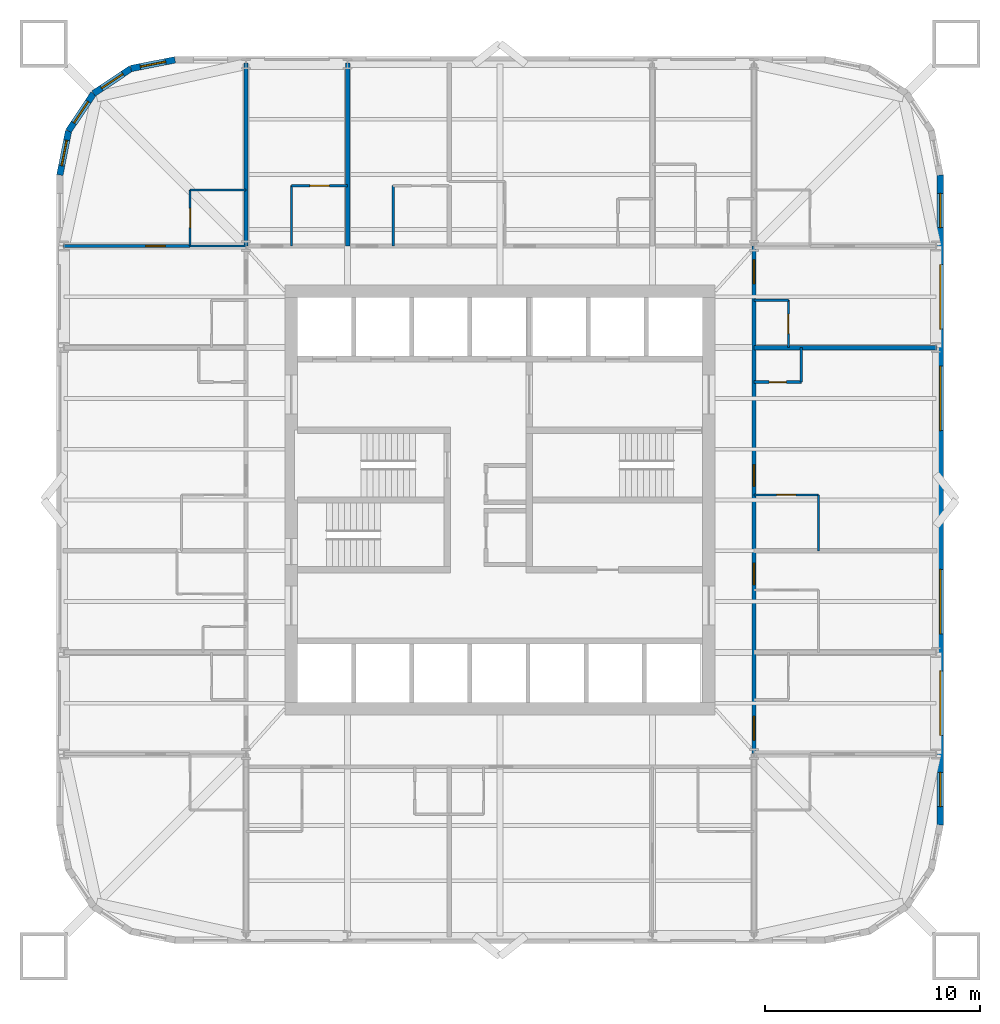
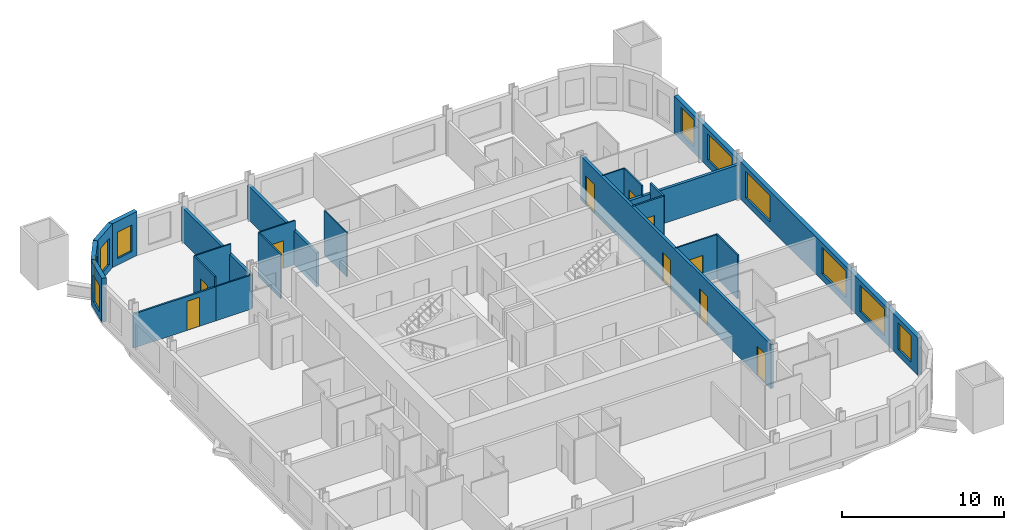
# One storey, part 6 of 9: 22 walls, 10 doors, 10 windows, 20 openings.
"""IFC4 building model written with IfcOpenShell, lengths in metres."""

from ifc_helpers import new_model, si_unit, direction, frame, frame_2d, origin, place, context, subcontext, project, spatial, rectangle, extrude, material, layer, layer_set, type_object, element, fill, save


model = new_model("IFC4")

# Units and contexts
model_context = context("Model", 3, precision=1e-05, world=origin(), true_north=direction((0.0, 1.0)))
body_context = subcontext(model_context, "Body", "Model", "MODEL_VIEW")
ifc_project = project(units=[si_unit("LENGTHUNIT", "METRE"), si_unit("AREAUNIT", "SQUARE_METRE"), si_unit("VOLUMEUNIT", "CUBIC_METRE"), si_unit("PLANEANGLEUNIT", "RADIAN"), si_unit("MASSUNIT", "GRAM", prefix="KILO")], contexts=[model_context])

# Site, building, storey
site_placement = place(None, origin())
site = spatial("IfcSite", under=ifc_project, at=site_placement, CompositionType="ELEMENT")
building_placement = place(site_placement, origin())
building = spatial("IfcBuilding", under=site, at=building_placement, Name="Turquesa Mirador Hotel Tower", CompositionType="ELEMENT")
storey_placement = place(building_placement, frame((0.0, 0.0, 124.89990234375)))
storey = spatial("IfcBuildingStorey", under=building, at=storey_placement, Name="L33", CompositionType="ELEMENT", Elevation=124.89990234375)

# Wall, opening, door
ifc_material_1 = material(Name="Gypsum board on steel studs", Category="steel")
ifc_layer_1 = layer(ifc_material_1, 0.10009765625)
ifc_layer_set_1 = layer_set([ifc_layer_1], Name="BATHROOM WALL 100")
wall_type_1 = type_object("IfcWallType", Name="BATHROOM WALL 100", PredefinedType="PARTITIONING", material=ifc_layer_set_1)
wall_1_placement = place(storey_placement, frame((66.800048828125, 45.239990234375, 0.0), z_axis=(0.0, 0.0, 1.0), x_axis=(1.0, 0.0, 0.0)))
wall_1 = element("IfcWall", 1, at=wall_1_placement, inside=storey, type_object=wall_type_1, Name="Partition L33 023", PredefinedType="PARTITIONING", context=body_context, shape_type="SweptSolid", body=[
    extrude(rectangle(XDim=3.0, YDim=0.10009765625, at=frame_2d((1.5, 0.0))), origin(), (0.0, 0.0, 1.0), 3.330078125),
])
opening_1_placement = place(wall_1_placement, frame((1.050048828125, 0.0, 0.0)))
opening_1 = element("IfcOpeningElement", 2, at=opening_1_placement, cuts=wall_1, Name="Opening D02", PredefinedType="OPENING", context=body_context, shape_type="SweptSolid", body=[
    extrude(rectangle(XDim=0.89990234375, YDim=2.10009765625, at=frame_2d((0.449951171875, 1.050048828125))), frame((0.0, 0.06005859375, 0.0), z_axis=(0.0, -1.0, 0.0), x_axis=(1.0, 0.0, 0.0)), (0.0, 0.0, 1.0), 0.1201171875),
])
ifc_material_2 = material(Name="Timber veneered door", Category="wood")
door_type_1 = type_object("IfcDoorType", Name="DOOR 900X2100 EN-SUITE", OperationType="SINGLE_SWING_RIGHT", PredefinedType="DOOR", material=ifc_material_2)
door_1_placement = place(opening_1_placement, origin())
door_1 = element("IfcDoor", 3, at=door_1_placement, inside=storey, type_object=door_type_1, Name="Door 3308B", OperationType="SINGLE_SWING_RIGHT", OverallHeight=2.10009765625, OverallWidth=0.89990234375, PredefinedType="DOOR", context=body_context, shape_type="SweptSolid", body=[
    extrude(rectangle(XDim=0.89990234375, YDim=2.10009765625, at=frame_2d((0.449951171875, 1.050048828125))), frame((0.0, 0.02490234375, 0.0), z_axis=(0.0, -1.0, 0.0), x_axis=(1.0, 0.0, 0.0)), (0.0, 0.0, 1.0), 0.050048828125),
])
fill(opening_1, door_1)

# Walls
wall_2_placement = place(storey_placement, frame((40.60009765625, 56.800048828125, 0.0), z_axis=(0.0, 0.0, 1.0), x_axis=(1.0, 0.0, 0.0)))
element("IfcWall", 4, at=wall_2_placement, inside=storey, type_object=wall_type_1, Name="Partition L33 024", PredefinedType="PARTITIONING", context=body_context, shape_type="SweptSolid", body=[
    extrude(rectangle(XDim=2.599853515625, YDim=0.10009765625, at=frame_2d((1.2998046875, 0.0))), origin(), (0.0, 0.0, 1.0), 2.5732421875),
])
wall_3_placement = place(storey_placement, frame((40.60009765625, 59.39990234375, 0.0), z_axis=(0.0, 0.0, 1.0), x_axis=(1.0, 0.0, 0.0)))
element("IfcWall", 5, at=wall_3_placement, inside=storey, type_object=wall_type_1, Name="Partition L33 031", PredefinedType="PARTITIONING", context=body_context, shape_type="SweptSolid", body=[
    extrude(rectangle(XDim=2.599853515625, YDim=0.10009765625, at=frame_2d((1.2998046875, 0.0))), origin(), (0.0, 0.0, 1.0), 3.330078125),
])

# Wall, opening, door
wall_4_placement = place(storey_placement, frame((45.320068359375, 59.60009765625, 0.0), z_axis=(0.0, 0.0, 1.0), x_axis=(1.0, 0.0, 0.0)))
wall_4 = element("IfcWall", 6, at=wall_4_placement, inside=storey, type_object=wall_type_1, Name="Partition L33 033", PredefinedType="PARTITIONING", context=body_context, shape_type="SweptSolid", body=[
    extrude(rectangle(XDim=2.599853515625, YDim=0.10009765625, at=frame_2d((1.2998046875, 0.0))), origin(), (0.0, 0.0, 1.0), 3.330078125),
])
opening_2_placement = place(wall_4_placement, frame((0.85009765625, 0.0, 0.0)))
opening_2 = element("IfcOpeningElement", 7, at=opening_2_placement, cuts=wall_4, Name="Opening D02", PredefinedType="OPENING", context=body_context, shape_type="SweptSolid", body=[
    extrude(rectangle(XDim=0.89990234375, YDim=2.10009765625, at=frame_2d((0.449951171875, 1.050048828125))), frame((0.0, 0.06005859375, 0.0), z_axis=(0.0, -1.0, 0.0), x_axis=(1.0, 0.0, 0.0)), (0.0, 0.0, 1.0), 0.1201171875),
])
door_2_placement = place(opening_2_placement, origin())
door_2 = element("IfcDoor", 8, at=door_2_placement, inside=storey, type_object=door_type_1, Name="Door 3301B", OperationType="SINGLE_SWING_RIGHT", OverallHeight=2.10009765625, OverallWidth=0.89990234375, PredefinedType="DOOR", context=body_context, shape_type="SweptSolid", body=[
    extrude(rectangle(XDim=0.89990234375, YDim=2.10009765625, at=frame_2d((0.449951171875, 1.050048828125))), frame((0.0, 0.02490234375, 0.0), z_axis=(0.0, -1.0, 0.0), x_axis=(1.0, 0.0, 0.0)), (0.0, 0.0, 1.0), 0.050048828125),
])
fill(opening_2, door_2)

# Wall
wall_5_placement = place(storey_placement, frame((66.800048828125, 54.280029296875, 0.0), z_axis=(0.0, 0.0, 1.0), x_axis=(1.0, 0.0, 0.0)))
element("IfcWall", 9, at=wall_5_placement, inside=storey, type_object=wall_type_1, Name="Partition L33 042", PredefinedType="PARTITIONING", context=body_context, shape_type="SweptSolid", body=[
    extrude(rectangle(XDim=1.599853515625, YDim=0.10009765625, at=frame_2d((0.7998046875, 0.0))), origin(), (0.0, 0.0, 1.0), 3.330078125),
])

# Wall, opening, door
wall_6_placement = place(storey_placement, frame((40.60009765625, 56.800048828125, 0.0), z_axis=(0.0, 0.0, 1.0), x_axis=(0.0, 1.0, 0.0)))
wall_6 = element("IfcWall", 10, at=wall_6_placement, inside=storey, type_object=wall_type_1, Name="Partition L33 052", PredefinedType="PARTITIONING", context=body_context, shape_type="SweptSolid", body=[
    extrude(rectangle(XDim=2.599853515625, YDim=0.10009765625, at=frame_2d((1.2998046875, 0.0))), origin(), (0.0, 0.0, 1.0), 3.330078125),
])
opening_3_placement = place(wall_6_placement, frame((0.85009765625, 0.0, 0.0)))
opening_3 = element("IfcOpeningElement", 11, at=opening_3_placement, cuts=wall_6, Name="Opening D02", PredefinedType="OPENING", context=body_context, shape_type="SweptSolid", body=[
    extrude(rectangle(XDim=0.89990234375, YDim=2.10009765625, at=frame_2d((0.449951171875, 1.050048828125))), frame((0.0, 0.06005859375, 0.0), z_axis=(0.0, -1.0, 0.0), x_axis=(1.0, 0.0, 0.0)), (0.0, 0.0, 1.0), 0.1201171875),
])
door_3_placement = place(opening_3_placement, origin())
door_3 = element("IfcDoor", 12, at=door_3_placement, inside=storey, type_object=door_type_1, Name="Door 3312B", OperationType="SINGLE_SWING_RIGHT", OverallHeight=2.10009765625, OverallWidth=0.89990234375, PredefinedType="DOOR", context=body_context, shape_type="SweptSolid", body=[
    extrude(rectangle(XDim=0.89990234375, YDim=2.10009765625, at=frame_2d((0.449951171875, 1.050048828125))), frame((0.0, 0.02490234375, 0.0), z_axis=(0.0, -1.0, 0.0), x_axis=(1.0, 0.0, 0.0)), (0.0, 0.0, 1.0), 0.050048828125),
])
fill(opening_3, door_3)

# Walls
for number, where, z_axis, x_axis, name in (
    (13, (50.0400390625, 56.800048828125, 0.0), (0.0, 0.0, 1.0), (0.0, 1.0, 0.0), "Partition L33 059"),
    (14, (45.320068359375, 56.800048828125, 0.0), (0.0, 0.0, 1.0), (0.0, 1.0, 0.0), "Partition L33 062"),
):
    element("IfcWall", number, at=place(storey_placement, frame(where, z_axis=z_axis, x_axis=x_axis)), inside=storey, type_object=wall_type_1, Name=name, PredefinedType="PARTITIONING", context=body_context, shape_type="SweptSolid", body=[
        extrude(rectangle(XDim=2.800048828125, YDim=0.10009765625, at=frame_2d((1.39990234375, 0.0))), origin(), (0.0, 0.0, 1.0), 3.330078125),
    ])

# Wall, opening, door
wall_7_placement = place(storey_placement, frame((68.39990234375, 52.080078125, 0.0), z_axis=(0.0, 0.0, 1.0), x_axis=(0.0, 1.0, 0.0)))
wall_7 = element("IfcWall", 15, at=wall_7_placement, inside=storey, type_object=wall_type_1, Name="Partition L33 069", PredefinedType="PARTITIONING", context=body_context, shape_type="SweptSolid", body=[
    extrude(rectangle(XDim=2.199951171875, YDim=0.10009765625, at=frame_2d((1.10009765625, 0.0))), origin(), (0.0, 0.0, 1.0), 3.330078125),
])
opening_4_placement = place(wall_7_placement, frame((0.64990234375, 0.0, 0.0)))
opening_4 = element("IfcOpeningElement", 16, at=opening_4_placement, cuts=wall_7, Name="Opening D06", PredefinedType="OPENING", context=body_context, shape_type="SweptSolid", body=[
    extrude(rectangle(XDim=0.89990234375, YDim=2.10009765625, at=frame_2d((0.449951171875, 1.050048828125))), frame((0.0, 0.06005859375, 0.0), z_axis=(0.0, -1.0, 0.0), x_axis=(1.0, 0.0, 0.0)), (0.0, 0.0, 1.0), 0.1201171875),
])
ifc_material_3 = material(Name="Laminate door", Category="wood")
door_type_2 = type_object("IfcDoorType", Name="DOOR 900X2100 WC", OperationType="SINGLE_SWING_LEFT", PredefinedType="DOOR", material=ifc_material_3)
door_4_placement = place(opening_4_placement, origin())
door_4 = element("IfcDoor", 17, at=door_4_placement, inside=storey, type_object=door_type_2, Name="Door 3311W", OperationType="SINGLE_SWING_LEFT", OverallHeight=2.10009765625, OverallWidth=0.89990234375, PredefinedType="DOOR", context=body_context, shape_type="SweptSolid", body=[
    extrude(rectangle(XDim=0.89990234375, YDim=2.10009765625, at=frame_2d((0.449951171875, 1.050048828125))), frame((0.0, 0.02490234375, 0.0), z_axis=(0.0, -1.0, 0.0), x_axis=(1.0, 0.0, 0.0)), (0.0, 0.0, 1.0), 0.050048828125),
])
fill(opening_4, door_4)

# Wall
wall_8_placement = place(storey_placement, frame((69.800048828125, 42.639892578125, 0.0), z_axis=(0.0, 0.0, 1.0), x_axis=(0.0, 1.0, 0.0)))
element("IfcWall", 18, at=wall_8_placement, inside=storey, type_object=wall_type_1, Name="Partition L33 074", PredefinedType="PARTITIONING", context=body_context, shape_type="SweptSolid", body=[
    extrude(rectangle(XDim=2.60009765625, YDim=0.10009765625, at=frame_2d((1.300048828125, 0.0))), origin(), (0.0, 0.0, 1.0), 3.330078125),
])

# Wall, openings, doors
ifc_material_4 = material(Name="Fire-rated gypsum board on steel studs", Category="steel")
ifc_layer_2 = layer(ifc_material_4, 0.199951171875)
ifc_layer_set_2 = layer_set([ifc_layer_2], Name="CORRIDOR WALL 200")
wall_type_2 = type_object("IfcWallType", Name="CORRIDOR WALL 200", PredefinedType="PARTITIONING", material=ifc_layer_set_2)
wall_9_placement = place(storey_placement, frame((66.800048828125, 33.219970703125, 0.0), z_axis=(0.0, 0.0, 1.0), x_axis=(0.0, 1.0, 0.0)))
wall_9 = element("IfcWall", 19, at=wall_9_placement, inside=storey, type_object=wall_type_2, Name="Partition L33 065", PredefinedType="PARTITIONING", context=body_context, shape_type="SweptSolid", body=[
    extrude(rectangle(XDim=23.580078125, YDim=0.199951171875, at=frame_2d((11.7900390625, 0.0))), origin(), (0.0, 0.0, 1.0), 3.330078125),
])
opening_5_placement = place(wall_9_placement, frame((7.85009765625, 0.0, 0.0)))
opening_5 = element("IfcOpeningElement", 20, at=opening_5_placement, cuts=wall_9, Name="Opening D01", PredefinedType="OPENING", context=body_context, shape_type="SweptSolid", body=[
    extrude(rectangle(XDim=1.0, YDim=2.199951171875, at=frame_2d((0.5, 1.10009765625))), frame((0.0, 0.10986328125, 0.0), z_axis=(0.0, -1.0, 0.0), x_axis=(1.0, 0.0, 0.0)), (0.0, 0.0, 1.0), 0.219970703125),
])
opening_6_placement = place(wall_9_placement, frame((12.419921875, 0.0, 0.0)))
opening_6 = element("IfcOpeningElement", 21, at=opening_6_placement, cuts=wall_9, Name="Opening D01", PredefinedType="OPENING", context=body_context, shape_type="SweptSolid", body=[
    extrude(rectangle(XDim=1.0, YDim=2.199951171875, at=frame_2d((0.5, 1.10009765625))), frame((0.0, 0.10986328125, 0.0), z_axis=(0.0, -1.0, 0.0), x_axis=(1.0, 0.0, 0.0)), (0.0, 0.0, 1.0), 0.219970703125),
])
opening_7_placement = place(wall_9_placement, frame((21.830078125, 0.0, 0.0)))
opening_7 = element("IfcOpeningElement", 22, at=opening_7_placement, cuts=wall_9, Name="Opening D15", PredefinedType="OPENING", context=body_context, shape_type="SweptSolid", body=[
    extrude(rectangle(XDim=1.10009765625, YDim=2.199951171875, at=frame_2d((0.550048828125, 1.10009765625))), frame((0.0, 0.10986328125, 0.0), z_axis=(0.0, -1.0, 0.0), x_axis=(1.0, 0.0, 0.0)), (0.0, 0.0, 1.0), 0.219970703125),
])
opening_8_placement = place(wall_9_placement, frame((0.6298828125, 0.0, 0.0)))
opening_8 = element("IfcOpeningElement", 23, at=opening_8_placement, cuts=wall_9, Name="Opening D15", PredefinedType="OPENING", context=body_context, shape_type="SweptSolid", body=[
    extrude(rectangle(XDim=1.10009765625, YDim=2.199951171875, at=frame_2d((0.550048828125, 1.10009765625))), frame((0.0, 0.10986328125, 0.0), z_axis=(0.0, -1.0, 0.0), x_axis=(1.0, 0.0, 0.0)), (0.0, 0.0, 1.0), 0.219970703125),
])
ifc_material_5 = material(Name="Timber veneered fire door", Category="wood")
door_type_3 = type_object("IfcDoorType", Name="DOOR 1000X2200 GUEST ENTRY", OperationType="SINGLE_SWING_LEFT", PredefinedType="DOOR", material=ifc_material_5)
door_5_placement = place(opening_5_placement, origin())
door_5 = element("IfcDoor", 24, at=door_5_placement, inside=storey, type_object=door_type_3, Name="Door 3307", OperationType="SINGLE_SWING_LEFT", OverallHeight=2.199951171875, OverallWidth=1.0, PredefinedType="DOOR", context=body_context, shape_type="SweptSolid", body=[
    extrude(rectangle(XDim=1.0, YDim=2.199951171875, at=frame_2d((0.5, 1.10009765625))), frame((0.0, 0.02490234375, 0.0), z_axis=(0.0, -1.0, 0.0), x_axis=(1.0, 0.0, 0.0)), (0.0, 0.0, 1.0), 0.050048828125),
])
fill(opening_5, door_5)
door_6_placement = place(opening_6_placement, origin())
door_6 = element("IfcDoor", 25, at=door_6_placement, inside=storey, type_object=door_type_3, Name="Door 3308", OperationType="SINGLE_SWING_LEFT", OverallHeight=2.199951171875, OverallWidth=1.0, PredefinedType="DOOR", context=body_context, shape_type="SweptSolid", body=[
    extrude(rectangle(XDim=1.0, YDim=2.199951171875, at=frame_2d((0.5, 1.10009765625))), frame((0.0, 0.02490234375, 0.0), z_axis=(0.0, -1.0, 0.0), x_axis=(1.0, 0.0, 0.0)), (0.0, 0.0, 1.0), 0.050048828125),
])
fill(opening_6, door_6)
ifc_material_6 = material(Name="Timber veneered fire door", Category="wood")
door_type_4 = type_object("IfcDoorType", Name="DOOR 1100X2200 SUITE ENTRY", OperationType="SINGLE_SWING_LEFT", PredefinedType="DOOR", material=ifc_material_6)
door_7_placement = place(opening_7_placement, origin())
door_7 = element("IfcDoor", 26, at=door_7_placement, inside=storey, type_object=door_type_4, Name="Door 3311", OperationType="SINGLE_SWING_LEFT", OverallHeight=2.199951171875, OverallWidth=1.10009765625, PredefinedType="DOOR", context=body_context, shape_type="SweptSolid", body=[
    extrude(rectangle(XDim=1.10009765625, YDim=2.199951171875, at=frame_2d((0.550048828125, 1.10009765625))), frame((0.0, 0.02490234375, 0.0), z_axis=(0.0, -1.0, 0.0), x_axis=(1.0, 0.0, 0.0)), (0.0, 0.0, 1.0), 0.050048828125),
])
fill(opening_7, door_7)
door_8_placement = place(opening_8_placement, origin())
door_8 = element("IfcDoor", 27, at=door_8_placement, inside=storey, type_object=door_type_4, Name="Door 3314", OperationType="SINGLE_SWING_LEFT", OverallHeight=2.199951171875, OverallWidth=1.10009765625, PredefinedType="DOOR", context=body_context, shape_type="SweptSolid", body=[
    extrude(rectangle(XDim=1.10009765625, YDim=2.199951171875, at=frame_2d((0.550048828125, 1.10009765625))), frame((0.0, 0.02490234375, 0.0), z_axis=(0.0, -1.0, 0.0), x_axis=(1.0, 0.0, 0.0)), (0.0, 0.0, 1.0), 0.050048828125),
])
fill(opening_8, door_8)

# Wall, openings, windows
ifc_material_7 = material(Name="Limestone cladding on concrete block", Category="masonry")
ifc_layer_3 = layer(ifc_material_7, 0.300048828125)
ifc_layer_set_3 = layer_set([ifc_layer_3], Name="FACADE WALL 300 STONE SCREEN")
wall_type_3 = type_object("IfcWallType", Name="FACADE WALL 300 STONE SCREEN", PredefinedType="SOLIDWALL", material=ifc_layer_set_3)
wall_10_placement = place(storey_placement, frame((75.449951171875, 29.89990234375, 0.0), z_axis=(0.0, 0.0, 1.0), x_axis=(0.0, 1.0, 0.0)))
wall_10 = element("IfcWall", 28, at=wall_10_placement, inside=storey, type_object=wall_type_3, Name="Facade wall L33 04", PredefinedType="SOLIDWALL", context=body_context, shape_type="SweptSolid", body=[
    extrude(rectangle(XDim=30.2001953125, YDim=0.300048828125, at=frame_2d((15.10009765625, 0.0))), origin(), (0.0, 0.0, 1.0), 2.830078125),
])
opening_9_placement = place(wall_10_placement, frame((0.85009765625, 0.0, 0.5)))
opening_9 = element("IfcOpeningElement", 29, at=opening_9_placement, cuts=wall_10, Name="Opening WN3", PredefinedType="OPENING", context=body_context, shape_type="SweptSolid", body=[
    extrude(rectangle(XDim=1.60009765625, YDim=2.0, at=frame_2d((0.800048828125, 1.0))), frame((0.0, 0.159912109375, 0.0), z_axis=(0.0, -1.0, 0.0), x_axis=(1.0, 0.0, 0.0)), (0.0, 0.0, 1.0), 0.320068359375),
])
opening_10_placement = place(wall_10_placement, frame((4.159912109375, 0.0, 0.5)))
opening_10 = element("IfcOpeningElement", 30, at=opening_10_placement, cuts=wall_10, Name="Opening WN1", PredefinedType="OPENING", context=body_context, shape_type="SweptSolid", body=[
    extrude(rectangle(XDim=3.0, YDim=2.0, at=frame_2d((1.5, 1.0))), frame((0.0, 0.159912109375, 0.0), z_axis=(0.0, -1.0, 0.0), x_axis=(1.0, 0.0, 0.0)), (0.0, 0.0, 1.0), 0.320068359375),
])
opening_11_placement = place(wall_10_placement, frame((8.8798828125, 0.0, 0.5)))
opening_11 = element("IfcOpeningElement", 31, at=opening_11_placement, cuts=wall_10, Name="Opening WN1", PredefinedType="OPENING", context=body_context, shape_type="SweptSolid", body=[
    extrude(rectangle(XDim=3.0, YDim=2.0, at=frame_2d((1.5, 1.0))), frame((0.0, 0.159912109375, 0.0), z_axis=(0.0, -1.0, 0.0), x_axis=(1.0, 0.0, 0.0)), (0.0, 0.0, 1.0), 0.320068359375),
])
opening_12_placement = place(wall_10_placement, frame((18.320068359375, 0.0, 0.5)))
opening_12 = element("IfcOpeningElement", 32, at=opening_12_placement, cuts=wall_10, Name="Opening WN1", PredefinedType="OPENING", context=body_context, shape_type="SweptSolid", body=[
    extrude(rectangle(XDim=3.0, YDim=2.0, at=frame_2d((1.5, 1.0))), frame((0.0, 0.159912109375, 0.0), z_axis=(0.0, -1.0, 0.0), x_axis=(1.0, 0.0, 0.0)), (0.0, 0.0, 1.0), 0.320068359375),
])
opening_13_placement = place(wall_10_placement, frame((23.0400390625, 0.0, 0.5)))
opening_13 = element("IfcOpeningElement", 33, at=opening_13_placement, cuts=wall_10, Name="Opening WN1", PredefinedType="OPENING", context=body_context, shape_type="SweptSolid", body=[
    extrude(rectangle(XDim=3.0, YDim=2.0, at=frame_2d((1.5, 1.0))), frame((0.0, 0.159912109375, 0.0), z_axis=(0.0, -1.0, 0.0), x_axis=(1.0, 0.0, 0.0)), (0.0, 0.0, 1.0), 0.320068359375),
])
opening_14_placement = place(wall_10_placement, frame((27.75, 0.0, 0.5)))
opening_14 = element("IfcOpeningElement", 34, at=opening_14_placement, cuts=wall_10, Name="Opening WN3", PredefinedType="OPENING", context=body_context, shape_type="SweptSolid", body=[
    extrude(rectangle(XDim=1.60009765625, YDim=2.0, at=frame_2d((0.800048828125, 1.0))), frame((0.0, 0.159912109375, 0.0), z_axis=(0.0, -1.0, 0.0), x_axis=(1.0, 0.0, 0.0)), (0.0, 0.0, 1.0), 0.320068359375),
])
ifc_material_8 = material(Name="Ceramic-fritted laminated glass", Category="glass")
window_type_1 = type_object("IfcWindowType", Name="FRITTED WINDOW 1600X2000", PartitioningType="DOUBLE_PANEL_HORIZONTAL", PredefinedType="WINDOW", material=ifc_material_8)
window_1_placement = place(opening_9_placement, origin())
window_1 = element("IfcWindow", 35, at=window_1_placement, inside=storey, type_object=window_type_1, Name="Window L33", OverallHeight=2.0, OverallWidth=1.60009765625, PartitioningType="SINGLE_PANEL", PredefinedType="WINDOW", context=body_context, shape_type="SweptSolid", body=[
    extrude(rectangle(XDim=1.60009765625, YDim=2.0, at=frame_2d((0.800048828125, 1.0))), frame((0.0, 0.030029296875, 0.0), z_axis=(0.0, -1.0, 0.0), x_axis=(1.0, 0.0, 0.0)), (0.0, 0.0, 1.0), 0.06005859375),
])
fill(opening_9, window_1)
window_2_placement = place(opening_14_placement, origin())
window_2 = element("IfcWindow", 36, at=window_2_placement, inside=storey, type_object=window_type_1, Name="Window L33", OverallHeight=2.0, OverallWidth=1.60009765625, PartitioningType="SINGLE_PANEL", PredefinedType="WINDOW", context=body_context, shape_type="SweptSolid", body=[
    extrude(rectangle(XDim=1.60009765625, YDim=2.0, at=frame_2d((0.800048828125, 1.0))), frame((0.0, 0.030029296875, 0.0), z_axis=(0.0, -1.0, 0.0), x_axis=(1.0, 0.0, 0.0)), (0.0, 0.0, 1.0), 0.06005859375),
])
fill(opening_14, window_2)
ifc_material_9 = material(Name="Ceramic-fritted laminated glass", Category="glass")
window_type_2 = type_object("IfcWindowType", Name="FRITTED WINDOW 3000X2000", PartitioningType="DOUBLE_PANEL_HORIZONTAL", PredefinedType="WINDOW", material=ifc_material_9)
window_3_placement = place(opening_10_placement, origin())
window_3 = element("IfcWindow", 37, at=window_3_placement, inside=storey, type_object=window_type_2, Name="Window L33", OverallHeight=2.0, OverallWidth=3.0, PartitioningType="SINGLE_PANEL", PredefinedType="WINDOW", context=body_context, shape_type="SweptSolid", body=[
    extrude(rectangle(XDim=3.0, YDim=2.0, at=frame_2d((1.5, 1.0))), frame((0.0, 0.030029296875, 0.0), z_axis=(0.0, -1.0, 0.0), x_axis=(1.0, 0.0, 0.0)), (0.0, 0.0, 1.0), 0.06005859375),
])
fill(opening_10, window_3)
window_4_placement = place(opening_11_placement, origin())
window_4 = element("IfcWindow", 38, at=window_4_placement, inside=storey, type_object=window_type_2, Name="Window L33", OverallHeight=2.0, OverallWidth=3.0, PartitioningType="SINGLE_PANEL", PredefinedType="WINDOW", context=body_context, shape_type="SweptSolid", body=[
    extrude(rectangle(XDim=3.0, YDim=2.0, at=frame_2d((1.5, 1.0))), frame((0.0, 0.030029296875, 0.0), z_axis=(0.0, -1.0, 0.0), x_axis=(1.0, 0.0, 0.0)), (0.0, 0.0, 1.0), 0.06005859375),
])
fill(opening_11, window_4)
window_5_placement = place(opening_12_placement, origin())
window_5 = element("IfcWindow", 39, at=window_5_placement, inside=storey, type_object=window_type_2, Name="Window L33", OverallHeight=2.0, OverallWidth=3.0, PartitioningType="SINGLE_PANEL", PredefinedType="WINDOW", context=body_context, shape_type="SweptSolid", body=[
    extrude(rectangle(XDim=3.0, YDim=2.0, at=frame_2d((1.5, 1.0))), frame((0.0, 0.030029296875, 0.0), z_axis=(0.0, -1.0, 0.0), x_axis=(1.0, 0.0, 0.0)), (0.0, 0.0, 1.0), 0.06005859375),
])
fill(opening_12, window_5)
window_6_placement = place(opening_13_placement, origin())
window_6 = element("IfcWindow", 40, at=window_6_placement, inside=storey, type_object=window_type_2, Name="Window L33", OverallHeight=2.0, OverallWidth=3.0, PartitioningType="SINGLE_PANEL", PredefinedType="WINDOW", context=body_context, shape_type="SweptSolid", body=[
    extrude(rectangle(XDim=3.0, YDim=2.0, at=frame_2d((1.5, 1.0))), frame((0.0, 0.030029296875, 0.0), z_axis=(0.0, -1.0, 0.0), x_axis=(1.0, 0.0, 0.0)), (0.0, 0.0, 1.0), 0.06005859375),
])
fill(opening_13, window_6)

# Wall, opening, window
wall_11_placement = place(storey_placement, frame((39.89990234375, 65.449951171875, 0.0), z_axis=(0.0, 0.0, 1.0), x_axis=(-0.980787050784, -0.195081421501, 0.0)))
wall_11 = element("IfcWall", 41, at=wall_11_placement, inside=storey, type_object=wall_type_3, Name="Facade wall L33 10", PredefinedType="SOLIDWALL", context=body_context, shape_type="SweptSolid", body=[
    extrude(rectangle(XDim=2.08740234375, YDim=0.300048828125, at=frame_2d((1.043701171875, 0.0))), origin(), (0.0, 0.0, 1.0), 3.330078125),
])
opening_15_placement = place(wall_11_placement, frame((0.443603515625, 0.0, 0.5)))
opening_15 = element("IfcOpeningElement", 42, at=opening_15_placement, cuts=wall_11, Name="Opening WN4", PredefinedType="OPENING", context=body_context, shape_type="SweptSolid", body=[
    extrude(rectangle(XDim=1.199951171875, YDim=2.0, at=frame_2d((0.60009765625, 1.0))), frame((0.0, 0.159912109375, 0.0), z_axis=(0.0, -1.0, 0.0), x_axis=(1.0, 0.0, 0.0)), (0.0, 0.0, 1.0), 0.320068359375),
])
ifc_material_10 = material(Name="Ceramic-fritted laminated glass", Category="glass")
window_type_3 = type_object("IfcWindowType", Name="FRITTED CORNER WINDOW 1200X2000", PartitioningType="DOUBLE_PANEL_HORIZONTAL", PredefinedType="WINDOW", material=ifc_material_10)
window_7_placement = place(opening_15_placement, origin())
window_7 = element("IfcWindow", 43, at=window_7_placement, inside=storey, type_object=window_type_3, Name="Window L33", OverallHeight=2.0, OverallWidth=1.199951171875, PartitioningType="SINGLE_PANEL", PredefinedType="WINDOW", context=body_context, shape_type="SweptSolid", body=[
    extrude(rectangle(XDim=1.199951171875, YDim=2.0, at=frame_2d((0.60009765625, 1.0))), frame((0.0, 0.030029296875, 0.0), z_axis=(0.0, -1.0, 0.0), x_axis=(1.0, 0.0, 0.0)), (0.0, 0.0, 1.0), 0.06005859375),
])
fill(opening_15, window_7)

wall_12_placement = place(storey_placement, frame((37.8525390625, 65.042724609375, 0.0), z_axis=(0.0, 0.0, 1.0), x_axis=(-0.831474039234, -0.555563607591, 0.0)))
wall_12 = element("IfcWall", 44, at=wall_12_placement, inside=storey, type_object=wall_type_3, Name="Facade wall L33 11", PredefinedType="SOLIDWALL", context=body_context, shape_type="SweptSolid", body=[
    extrude(rectangle(XDim=2.08740234375, YDim=0.300048828125, at=frame_2d((1.043701171875, 0.0))), origin(), (0.0, 0.0, 1.0), 3.330078125),
])
opening_16_placement = place(wall_12_placement, frame((0.443603515625, 0.0, 0.5)))
opening_16 = element("IfcOpeningElement", 45, at=opening_16_placement, cuts=wall_12, Name="Opening WN4", PredefinedType="OPENING", context=body_context, shape_type="SweptSolid", body=[
    extrude(rectangle(XDim=1.199951171875, YDim=2.0, at=frame_2d((0.60009765625, 1.0))), frame((0.0, 0.159912109375, 0.0), z_axis=(0.0, -1.0, 0.0), x_axis=(1.0, 0.0, 0.0)), (0.0, 0.0, 1.0), 0.320068359375),
])
window_8_placement = place(opening_16_placement, origin())
window_8 = element("IfcWindow", 46, at=window_8_placement, inside=storey, type_object=window_type_3, Name="Window L33", OverallHeight=2.0, OverallWidth=1.199951171875, PartitioningType="SINGLE_PANEL", PredefinedType="WINDOW", context=body_context, shape_type="SweptSolid", body=[
    extrude(rectangle(XDim=1.199951171875, YDim=2.0, at=frame_2d((0.60009765625, 1.0))), frame((0.0, 0.030029296875, 0.0), z_axis=(0.0, -1.0, 0.0), x_axis=(1.0, 0.0, 0.0)), (0.0, 0.0, 1.0), 0.06005859375),
])
fill(opening_16, window_8)

wall_13_placement = place(storey_placement, frame((36.116943359375, 63.883056640625, 0.0), z_axis=(0.0, 0.0, 1.0), x_axis=(-0.555563607591, -0.831474039234, 0.0)))
wall_13 = element("IfcWall", 47, at=wall_13_placement, inside=storey, type_object=wall_type_3, Name="Facade wall L33 12", PredefinedType="SOLIDWALL", context=body_context, shape_type="SweptSolid", body=[
    extrude(rectangle(XDim=2.08740234375, YDim=0.300048828125, at=frame_2d((1.043701171875, 0.0))), origin(), (0.0, 0.0, 1.0), 3.330078125),
])
opening_17_placement = place(wall_13_placement, frame((0.443603515625, 0.0, 0.5)))
opening_17 = element("IfcOpeningElement", 48, at=opening_17_placement, cuts=wall_13, Name="Opening WN4", PredefinedType="OPENING", context=body_context, shape_type="SweptSolid", body=[
    extrude(rectangle(XDim=1.199951171875, YDim=2.0, at=frame_2d((0.60009765625, 1.0))), frame((0.0, 0.159912109375, 0.0), z_axis=(0.0, -1.0, 0.0), x_axis=(1.0, 0.0, 0.0)), (0.0, 0.0, 1.0), 0.320068359375),
])
window_9_placement = place(opening_17_placement, origin())
window_9 = element("IfcWindow", 49, at=window_9_placement, inside=storey, type_object=window_type_3, Name="Window L33", OverallHeight=2.0, OverallWidth=1.199951171875, PartitioningType="SINGLE_PANEL", PredefinedType="WINDOW", context=body_context, shape_type="SweptSolid", body=[
    extrude(rectangle(XDim=1.199951171875, YDim=2.0, at=frame_2d((0.60009765625, 1.0))), frame((0.0, 0.030029296875, 0.0), z_axis=(0.0, -1.0, 0.0), x_axis=(1.0, 0.0, 0.0)), (0.0, 0.0, 1.0), 0.06005859375),
])
fill(opening_17, window_9)

wall_14_placement = place(storey_placement, frame((34.957275390625, 62.1474609375, 0.0), z_axis=(0.0, 0.0, 1.0), x_axis=(-0.195081421501, -0.980787050784, 0.0)))
wall_14 = element("IfcWall", 50, at=wall_14_placement, inside=storey, type_object=wall_type_3, Name="Facade wall L33 13", PredefinedType="SOLIDWALL", context=body_context, shape_type="SweptSolid", body=[
    extrude(rectangle(XDim=2.08740234375, YDim=0.300048828125, at=frame_2d((1.043701171875, 0.0))), origin(), (0.0, 0.0, 1.0), 3.330078125),
])
opening_18_placement = place(wall_14_placement, frame((0.443603515625, 0.0, 0.5)))
opening_18 = element("IfcOpeningElement", 51, at=opening_18_placement, cuts=wall_14, Name="Opening WN4", PredefinedType="OPENING", context=body_context, shape_type="SweptSolid", body=[
    extrude(rectangle(XDim=1.199951171875, YDim=2.0, at=frame_2d((0.60009765625, 1.0))), frame((0.0, 0.159912109375, 0.0), z_axis=(0.0, -1.0, 0.0), x_axis=(1.0, 0.0, 0.0)), (0.0, 0.0, 1.0), 0.320068359375),
])
window_10_placement = place(opening_18_placement, origin())
window_10 = element("IfcWindow", 52, at=window_10_placement, inside=storey, type_object=window_type_3, Name="Window L33", OverallHeight=2.0, OverallWidth=1.199951171875, PartitioningType="SINGLE_PANEL", PredefinedType="WINDOW", context=body_context, shape_type="SweptSolid", body=[
    extrude(rectangle(XDim=1.199951171875, YDim=2.0, at=frame_2d((0.60009765625, 1.0))), frame((0.0, 0.030029296875, 0.0), z_axis=(0.0, -1.0, 0.0), x_axis=(1.0, 0.0, 0.0)), (0.0, 0.0, 1.0), 0.06005859375),
])
fill(opening_18, window_10)

# Walls
ifc_material_11 = material(Name="Fire-rated gypsum board on steel studs", Category="steel")
ifc_layer_4 = layer(ifc_material_11, 0.199951171875)
ifc_layer_set_4 = layer_set([ifc_layer_4], Name="PARTY WALL 200")
wall_type_4 = type_object("IfcWallType", Name="PARTY WALL 200", PredefinedType="PARTITIONING", material=ifc_layer_set_4)
for number, where, z_axis, x_axis, name in (
    (53, (66.800048828125, 52.080078125, 0.0), (0.0, 0.0, 1.0), (1.0, 0.0, 0.0), "Partition L33 040"),
    (54, (43.199951171875, 56.800048828125, 0.0), (0.0, 0.0, 1.0), (0.0, 1.0, 0.0), "Partition L33 046"),
    (55, (47.919921875, 56.800048828125, 0.0), (0.0, 0.0, 1.0), (0.0, 1.0, 0.0), "Partition L33 060"),
):
    element("IfcWall", number, at=place(storey_placement, frame(where, z_axis=z_axis, x_axis=x_axis)), inside=storey, type_object=wall_type_4, Name=name, PredefinedType="PARTITIONING", context=body_context, shape_type="SweptSolid", body=[
        extrude(rectangle(XDim=8.5, YDim=0.199951171875, at=frame_2d((4.25, 0.0))), origin(), (0.0, 0.0, 1.0), 2.5732421875),
    ])

# Wall, opening, door
ifc_material_12 = material(Name="Acoustic gypsum board on steel studs", Category="steel")
ifc_layer_5 = layer(ifc_material_12, 0.125)
ifc_layer_set_5 = layer_set([ifc_layer_5], Name="SUITE PARTITION 125")
wall_type_5 = type_object("IfcWallType", Name="SUITE PARTITION 125", PredefinedType="PARTITIONING", material=ifc_layer_set_5)
wall_15_placement = place(storey_placement, frame((34.699951171875, 56.800048828125, 0.0), z_axis=(0.0, 0.0, 1.0), x_axis=(1.0, 0.0, 0.0)))
wall_15 = element("IfcWall", 56, at=wall_15_placement, inside=storey, type_object=wall_type_5, Name="Partition L33 027", PredefinedType="PARTITIONING", context=body_context, shape_type="SweptSolid", body=[
    extrude(rectangle(XDim=5.900146484375, YDim=0.125, at=frame_2d((2.9501953125, 0.0))), origin(), (0.0, 0.0, 1.0), 2.5732421875),
])
opening_19_placement = place(wall_15_placement, frame((3.85009765625, 0.0, 0.0)))
opening_19 = element("IfcOpeningElement", 57, at=opening_19_placement, cuts=wall_15, Name="Opening D17", PredefinedType="OPENING", context=body_context, shape_type="SweptSolid", body=[
    extrude(rectangle(XDim=0.89990234375, YDim=2.199951171875, at=frame_2d((0.449951171875, 1.10009765625))), frame((0.0, 0.072509765625, 0.0), z_axis=(0.0, -1.0, 0.0), x_axis=(1.0, 0.0, 0.0)), (0.0, 0.0, 1.0), 0.14501953125),
])
ifc_material_13 = material(Name="Timber veneered door", Category="wood")
door_type_5 = type_object("IfcDoorType", Name="DOOR 900X2200 SUITE INTERNAL", OperationType="SINGLE_SWING_LEFT", PredefinedType="DOOR", material=ifc_material_13)
door_9_placement = place(opening_19_placement, origin())
door_9 = element("IfcDoor", 58, at=door_9_placement, inside=storey, type_object=door_type_5, Name="Door 3312R", OperationType="SINGLE_SWING_LEFT", OverallHeight=2.199951171875, OverallWidth=0.89990234375, PredefinedType="DOOR", context=body_context, shape_type="SweptSolid", body=[
    extrude(rectangle(XDim=0.89990234375, YDim=2.199951171875, at=frame_2d((0.449951171875, 1.10009765625))), frame((0.0, 0.02490234375, 0.0), z_axis=(0.0, -1.0, 0.0), x_axis=(1.0, 0.0, 0.0)), (0.0, 0.0, 1.0), 0.050048828125),
])
fill(opening_19, door_9)

wall_16_placement = place(storey_placement, frame((66.800048828125, 50.47998046875, 0.0), z_axis=(0.0, 0.0, 1.0), x_axis=(1.0, 0.0, 0.0)))
wall_16 = element("IfcWall", 59, at=wall_16_placement, inside=storey, type_object=wall_type_5, Name="Partition L33 038", PredefinedType="PARTITIONING", context=body_context, shape_type="SweptSolid", body=[
    extrude(rectangle(XDim=2.199951171875, YDim=0.125, at=frame_2d((1.10009765625, 0.0))), origin(), (0.0, 0.0, 1.0), 3.330078125),
])
opening_20_placement = place(wall_16_placement, frame((0.699951171875, 0.0, 0.0)))
opening_20 = element("IfcOpeningElement", 60, at=opening_20_placement, cuts=wall_16, Name="Opening D20", PredefinedType="OPENING", context=body_context, shape_type="SweptSolid", body=[
    extrude(rectangle(XDim=0.800048828125, YDim=2.10009765625, at=frame_2d((0.39990234375, 1.050048828125))), frame((0.0, 0.072509765625, 0.0), z_axis=(0.0, -1.0, 0.0), x_axis=(1.0, 0.0, 0.0)), (0.0, 0.0, 1.0), 0.14501953125),
])
ifc_material_14 = material(Name="Timber veneered sliding door", Category="wood")
door_type_6 = type_object("IfcDoorType", Name="DOOR 800X2100 WARDROBE", OperationType="SLIDING_TO_LEFT", PredefinedType="DOOR", material=ifc_material_14)
door_10_placement = place(opening_20_placement, origin())
door_10 = element("IfcDoor", 61, at=door_10_placement, inside=storey, type_object=door_type_6, Name="Door 3308W", OperationType="SLIDING_TO_LEFT", OverallHeight=2.10009765625, OverallWidth=0.800048828125, PredefinedType="DOOR", context=body_context, shape_type="SweptSolid", body=[
    extrude(rectangle(XDim=0.800048828125, YDim=2.10009765625, at=frame_2d((0.39990234375, 1.050048828125))), frame((0.0, 0.02490234375, 0.0), z_axis=(0.0, -1.0, 0.0), x_axis=(1.0, 0.0, 0.0)), (0.0, 0.0, 1.0), 0.050048828125),
])
fill(opening_20, door_10)

# Wall
wall_17_placement = place(storey_placement, frame((69.0, 50.47998046875, 0.0), z_axis=(0.0, 0.0, 1.0), x_axis=(0.0, 1.0, 0.0)))
element("IfcWall", 62, at=wall_17_placement, inside=storey, type_object=wall_type_5, Name="Partition L33 070", PredefinedType="PARTITIONING", context=body_context, shape_type="SweptSolid", body=[
    extrude(rectangle(XDim=1.60009765625, YDim=0.125, at=frame_2d((0.800048828125, 0.0))), origin(), (0.0, 0.0, 1.0), 3.330078125),
])

save(model, "model.ifc")
